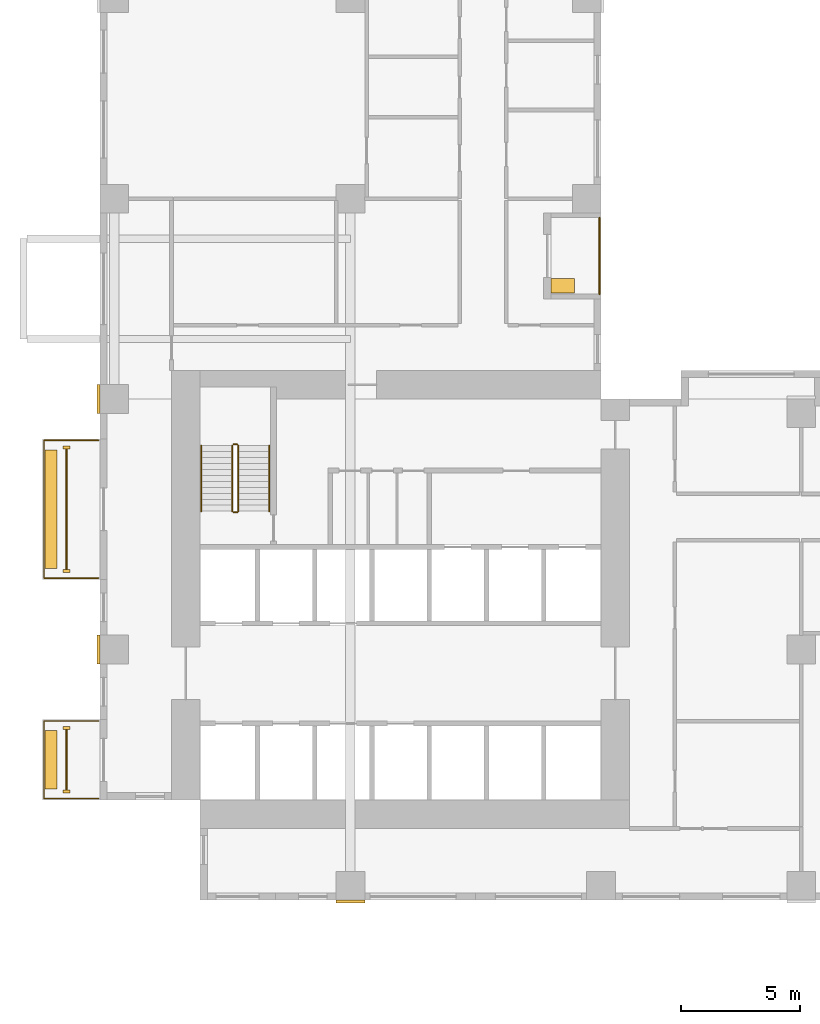
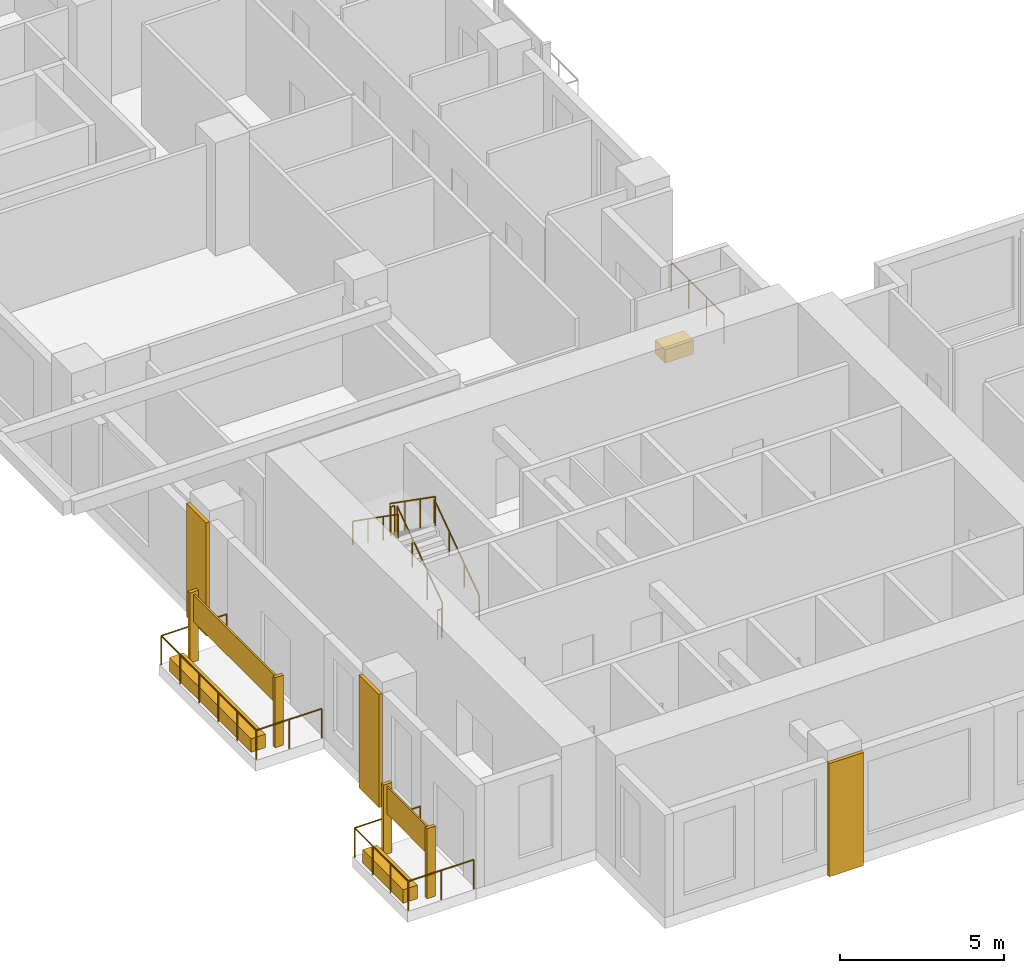
# One storey, part 10 of 14: 12 coverings, 9 railings.
"""IFC4 building model written with IfcOpenShell, lengths in metres."""

from ifc_helpers import new_model, si_unit, direction, frame, origin, origin_2d, place, context, subcontext, project, spatial, rectangle, circle, extrude, source, transform, mapped, material, type_object, element, save


model = new_model("IFC4")

# Units and contexts
model_context = context("Model", 3, precision=1e-05, world=origin(), true_north=direction((0.0, 1.0)))
body_context = subcontext(model_context, "Body", "Model", "MODEL_VIEW")
ifc_project = project(units=[si_unit("LENGTHUNIT", "METRE"), si_unit("AREAUNIT", "SQUARE_METRE"), si_unit("VOLUMEUNIT", "CUBIC_METRE"), si_unit("PLANEANGLEUNIT", "RADIAN"), si_unit("MASSUNIT", "GRAM", prefix="KILO")], contexts=[model_context])

# Site, building, storey
site_placement = place(None, origin())
site = spatial("IfcSite", under=ifc_project, at=site_placement, CompositionType="ELEMENT")
building_placement = place(site_placement, origin())
building = spatial("IfcBuilding", under=site, at=building_placement, Name="Aurelian Terraces", CompositionType="ELEMENT")
storey_placement = place(building_placement, frame((0.0, 0.0, 40.5)))
storey = spatial("IfcBuildingStorey", under=building, at=storey_placement, Name="L07", CompositionType="ELEMENT", Elevation=40.5)

# Coverings
ifc_material_1 = material(Name="Terracotta rainscreen cladding relief", Category="masonry")
covering_type_1 = type_object("IfcCoveringType", Name="BAGUETTE-TC", PredefinedType="CLADDING", material=ifc_material_1)
covering_1_placement = place(storey_placement, frame((10.5, -0.06, -0.4), z_axis=(0.0, 0.0, 1.0), x_axis=(1.0, 0.0, 0.0)))
element("IfcCovering", 1, at=covering_1_placement, inside=storey, type_object=covering_type_1, Name="BAGUETTE pier L07 1", PredefinedType="CLADDING", context=body_context, shape_type="SweptSolid", body=[
    extrude(rectangle(XDim=1.2, YDim=0.12, at=origin_2d()), origin(), (0.0, 0.0, 1.0), 4.2),
])
covering_2_placement = place(storey_placement, frame((-0.06, 10.5, -0.4), z_axis=(0.0, 0.0, 1.0), x_axis=(1.0, 0.0, 0.0)))
element("IfcCovering", 2, at=covering_2_placement, inside=storey, type_object=covering_type_1, Name="BAGUETTE pier L07 5", PredefinedType="CLADDING", context=body_context, shape_type="SweptSolid", body=[
    extrude(rectangle(XDim=0.12, YDim=1.2, at=origin_2d()), origin(), (0.0, 0.0, 1.0), 4.2),
])

# Railings
ifc_material_2 = material(Name="Anodised aluminium", Category="aluminium")
railing_type_1 = type_object("IfcRailingType", Name="GUARD-1100", PredefinedType="GUARDRAIL", material=ifc_material_2)
railing_1_placement = place(storey_placement, frame((20.94, 25.4, 0.05)))
element("IfcRailing", 3, at=railing_1_placement, inside=storey, type_object=railing_type_1, Name="Loggia guard L07 F08.29", PredefinedType="GUARDRAIL", context=body_context, shape_type="SweptSolid", body=[
    extrude(circle(Radius=0.024, at=origin_2d()), frame((0.0, 0.0, 1.076), z_axis=(0.0, 1.0, 0.0), x_axis=(-1.0, 0.0, 0.0)), (0.0, 0.0, 1.0), 3.2),
    extrude(circle(Radius=0.021, at=origin_2d()), origin(), (0.0, 0.0, 1.0), 1.052),
    extrude(circle(Radius=0.021, at=origin_2d()), frame((0.0, 1.0667, 0.0)), (0.0, 0.0, 1.0), 1.052),
    extrude(circle(Radius=0.021, at=origin_2d()), frame((0.0, 2.1333, 0.0)), (0.0, 0.0, 1.0), 1.052),
    extrude(circle(Radius=0.021, at=origin_2d()), frame((0.0, 3.2, 0.0)), (0.0, 0.0, 1.0), 1.052),
])
railing_2_placement = place(storey_placement, frame((-0.05, 19.27, 0.0)))
element("IfcRailing", 4, at=railing_2_placement, inside=storey, type_object=railing_type_1, Name="Balcony guard L07 F14.45", PredefinedType="GUARDRAIL", context=body_context, shape_type="SweptSolid", body=[
    extrude(circle(Radius=0.024, at=origin_2d()), frame((0.0, 0.0, 1.076), z_axis=(-1.0, 0.0, 0.0), x_axis=(0.0, -1.0, 0.0)), (0.0, 0.0, 1.0), 2.3),
    extrude(circle(Radius=0.024, at=origin_2d()), frame((-2.3, 0.0, 1.076), z_axis=(0.0, -1.0, 0.0), x_axis=(1.0, 0.0, 0.0)), (0.0, 0.0, 1.0), 5.78),
    extrude(circle(Radius=0.024, at=origin_2d()), frame((-2.3, -5.78, 1.076), z_axis=(1.0, 0.0, 0.0), x_axis=(0.0, 1.0, 0.0)), (0.0, 0.0, 1.0), 2.3),
    extrude(circle(Radius=0.021, at=origin_2d()), origin(), (0.0, 0.0, 1.0), 1.052),
    extrude(circle(Radius=0.021, at=origin_2d()), frame((-1.15, 0.0, 0.0)), (0.0, 0.0, 1.0), 1.052),
    extrude(circle(Radius=0.021, at=origin_2d()), frame((-2.3, 0.0, 0.0)), (0.0, 0.0, 1.0), 1.052),
    extrude(circle(Radius=0.021, at=origin_2d()), frame((-2.3, -1.156, 0.0)), (0.0, 0.0, 1.0), 1.052),
    extrude(circle(Radius=0.021, at=origin_2d()), frame((-2.3, -2.312, 0.0)), (0.0, 0.0, 1.0), 1.052),
    extrude(circle(Radius=0.021, at=origin_2d()), frame((-2.3, -3.468, 0.0)), (0.0, 0.0, 1.0), 1.052),
    extrude(circle(Radius=0.021, at=origin_2d()), frame((-2.3, -4.624, 0.0)), (0.0, 0.0, 1.0), 1.052),
    extrude(circle(Radius=0.021, at=origin_2d()), frame((-2.3, -5.78, 0.0)), (0.0, 0.0, 1.0), 1.052),
    extrude(circle(Radius=0.021, at=origin_2d()), frame((-1.15, -5.78, 0.0)), (0.0, 0.0, 1.0), 1.052),
    extrude(circle(Radius=0.021, at=origin_2d()), frame((0.0, -5.78, 0.0)), (0.0, 0.0, 1.0), 1.052),
])
railing_3_placement = place(storey_placement, frame((-0.05, 7.51, 0.0)))
element("IfcRailing", 5, at=railing_3_placement, inside=storey, type_object=railing_type_1, Name="Balcony guard L07 F14.47", PredefinedType="GUARDRAIL", context=body_context, shape_type="SweptSolid", body=[
    extrude(circle(Radius=0.024, at=origin_2d()), frame((0.0, 0.0, 1.076), z_axis=(-1.0, 0.0, 0.0), x_axis=(0.0, -1.0, 0.0)), (0.0, 0.0, 1.0), 2.3),
    extrude(circle(Radius=0.024, at=origin_2d()), frame((-2.3, 0.0, 1.076), z_axis=(0.0, -1.0, 0.0), x_axis=(1.0, 0.0, 0.0)), (0.0, 0.0, 1.0), 3.26),
    extrude(circle(Radius=0.024, at=origin_2d()), frame((-2.3, -3.26, 1.076), z_axis=(1.0, 0.0, 0.0), x_axis=(0.0, 1.0, 0.0)), (0.0, 0.0, 1.0), 2.3),
    extrude(circle(Radius=0.021, at=origin_2d()), origin(), (0.0, 0.0, 1.0), 1.052),
    extrude(circle(Radius=0.021, at=origin_2d()), frame((-1.15, 0.0, 0.0)), (0.0, 0.0, 1.0), 1.052),
    extrude(circle(Radius=0.021, at=origin_2d()), frame((-2.3, 0.0, 0.0)), (0.0, 0.0, 1.0), 1.052),
    extrude(circle(Radius=0.021, at=origin_2d()), frame((-2.3, -1.0867, 0.0)), (0.0, 0.0, 1.0), 1.052),
    extrude(circle(Radius=0.021, at=origin_2d()), frame((-2.3, -2.1733, 0.0)), (0.0, 0.0, 1.0), 1.052),
    extrude(circle(Radius=0.021, at=origin_2d()), frame((-2.3, -3.26, 0.0)), (0.0, 0.0, 1.0), 1.052),
    extrude(circle(Radius=0.021, at=origin_2d()), frame((-1.15, -3.26, 0.0)), (0.0, 0.0, 1.0), 1.052),
    extrude(circle(Radius=0.021, at=origin_2d()), frame((0.0, -3.26, 0.0)), (0.0, 0.0, 1.0), 1.052),
])

# Coverings
ifc_material_3 = material(Name="Terracotta planter with planting soil", Category="masonry")
covering_type_2 = type_object("IfcCoveringType", Name="PLANTER-TROUGH", PredefinedType="USERDEFINED", material=ifc_material_3)
covering_3_placement = place(storey_placement, frame((19.4, 25.75, 0.0), z_axis=(0.0, 0.0, 1.0), x_axis=(1.0, 0.0, 0.0)))
element("IfcCovering", 6, at=covering_3_placement, inside=storey, type_object=covering_type_2, Name="PLANTER L07 L07-F08-29", ObjectType="PLANTER", PredefinedType="USERDEFINED", context=body_context, shape_type="SweptSolid", body=[
    extrude(rectangle(XDim=1.0, YDim=0.6, at=origin_2d()), origin(), (0.0, 0.0, 1.0), 0.5),
])
covering_4_placement = place(storey_placement, frame((-2.05, 16.38, 0.0), z_axis=(0.0, 0.0, 1.0), x_axis=(1.0, 0.0, 0.0)))
element("IfcCovering", 7, at=covering_4_placement, inside=storey, type_object=covering_type_2, Name="PLANTER L07 L07-F14-45", ObjectType="PLANTER", PredefinedType="USERDEFINED", context=body_context, shape_type="SweptSolid", body=[
    extrude(rectangle(XDim=0.5, YDim=4.98, at=origin_2d()), origin(), (0.0, 0.0, 1.0), 0.5),
])
covering_5_placement = place(storey_placement, frame((-2.05, 5.88, 0.0), z_axis=(0.0, 0.0, 1.0), x_axis=(1.0, 0.0, 0.0)))
element("IfcCovering", 8, at=covering_5_placement, inside=storey, type_object=covering_type_2, Name="PLANTER L07 L07-F14-47", ObjectType="PLANTER", PredefinedType="USERDEFINED", context=body_context, shape_type="SweptSolid", body=[
    extrude(rectangle(XDim=0.5, YDim=2.46, at=origin_2d()), origin(), (0.0, 0.0, 1.0), 0.5),
])
ifc_material_4 = material(Name="Terracotta rainscreen cladding", Category="masonry")
covering_type_3 = type_object("IfcCoveringType", Name="SCREEN-TC", PredefinedType="CLADDING", material=ifc_material_4)
covering_6_placement = place(storey_placement, frame((-1.4, 16.38, 1.5), z_axis=(0.0, 0.0, 1.0), x_axis=(1.0, 0.0, 0.0)))
element("IfcCovering", 9, at=covering_6_placement, inside=storey, type_object=covering_type_3, Name="SCREEN L07 L07-F14-45", PredefinedType="CLADDING", context=body_context, shape_type="SweptSolid", body=[
    extrude(rectangle(XDim=0.06, YDim=5.06, at=origin_2d()), origin(), (0.0, 0.0, 1.0), 1.0),
])
covering_7_placement = place(storey_placement, frame((-1.4, 5.88, 1.5), z_axis=(0.0, 0.0, 1.0), x_axis=(1.0, 0.0, 0.0)))
element("IfcCovering", 10, at=covering_7_placement, inside=storey, type_object=covering_type_3, Name="SCREEN L07 L07-F14-47", PredefinedType="CLADDING", context=body_context, shape_type="SweptSolid", body=[
    extrude(rectangle(XDim=0.06, YDim=2.54, at=origin_2d()), origin(), (0.0, 0.0, 1.0), 1.0),
])

# Railings
ifc_material_5 = material(Name="Stainless steel", Category="steel")
railing_type_2 = type_object("IfcRailingType", Name="Stair guard 1100", PredefinedType="GUARDRAIL", material=ifc_material_5)
railing_4_placement = place(storey_placement, frame((5.8, 16.3, 0.175)))
element("IfcRailing", 11, at=railing_4_placement, inside=storey, type_object=railing_type_2, Name="L07 S1 stair guard 1", PredefinedType="GUARDRAIL", context=body_context, shape_type="SweptSolid", body=[
    extrude(circle(Radius=0.024, at=origin_2d()), frame((0.0, 0.0, 1.076), z_axis=(0.0, 0.819231920519, 0.573462344363), x_axis=(-1.0, 0.0, 0.0)), (0.0, 0.0, 1.0), 3.3568),
    extrude(circle(Radius=0.021, at=origin_2d()), origin(), (0.0, 0.0, 1.0), 1.052),
    extrude(circle(Radius=0.021, at=origin_2d()), frame((0.0, 0.9167, 0.6417)), (0.0, 0.0, 1.0), 1.052),
    extrude(circle(Radius=0.021, at=origin_2d()), frame((0.0, 1.8333, 1.2833)), (0.0, 0.0, 1.0), 1.052),
    extrude(circle(Radius=0.021, at=origin_2d()), frame((0.0, 2.75, 1.925)), (0.0, 0.0, 1.0), 1.052),
])
railing_5_placement = place(storey_placement, frame((5.55, 19.05, 2.275)))
element("IfcRailing", 12, at=railing_5_placement, inside=storey, type_object=railing_type_2, Name="L07 S1 stair guard 3", PredefinedType="GUARDRAIL", context=body_context, shape_type="SweptSolid", body=[
    extrude(circle(Radius=0.024, at=origin_2d()), frame((0.0, 0.0, 1.076), z_axis=(0.0, -0.819231920519, 0.573462344363), x_axis=(1.0, 0.0, 0.0)), (0.0, 0.0, 1.0), 3.3568),
    extrude(circle(Radius=0.021, at=origin_2d()), origin(), (0.0, 0.0, 1.0), 1.052),
    extrude(circle(Radius=0.021, at=origin_2d()), frame((0.0, -0.9167, 0.6417)), (0.0, 0.0, 1.0), 1.052),
    extrude(circle(Radius=0.021, at=origin_2d()), frame((0.0, -1.8333, 1.2833)), (0.0, 0.0, 1.0), 1.052),
    extrude(circle(Radius=0.021, at=origin_2d()), frame((0.0, -2.75, 1.925)), (0.0, 0.0, 1.0), 1.052),
])
railing_type_3 = type_object("IfcRailingType", Name="Stair handrail", PredefinedType="HANDRAIL", material=ifc_material_5)
railing_6_placement = place(storey_placement, frame((7.1, 16.3, 0.175)))
element("IfcRailing", 13, at=railing_6_placement, inside=storey, type_object=railing_type_3, Name="L07 S1 stair handrail 1", PredefinedType="HANDRAIL", context=body_context, shape_type="SweptSolid", body=[
    extrude(circle(Radius=0.024, at=origin_2d()), frame((0.0, 0.0, 0.876), z_axis=(0.0, 0.819231920519, 0.573462344363), x_axis=(-1.0, 0.0, 0.0)), (0.0, 0.0, 1.0), 3.3568),
    extrude(circle(Radius=0.021, at=origin_2d()), origin(), (0.0, 0.0, 1.0), 0.852),
    extrude(circle(Radius=0.021, at=origin_2d()), frame((0.0, 0.9167, 0.6417)), (0.0, 0.0, 1.0), 0.852),
    extrude(circle(Radius=0.021, at=origin_2d()), frame((0.0, 1.8333, 1.2833)), (0.0, 0.0, 1.0), 0.852),
    extrude(circle(Radius=0.021, at=origin_2d()), frame((0.0, 2.75, 1.925)), (0.0, 0.0, 1.0), 0.852),
])
railing_7_placement = place(storey_placement, frame((4.25, 19.05, 2.275)))
element("IfcRailing", 14, at=railing_7_placement, inside=storey, type_object=railing_type_3, Name="L07 S1 stair handrail 2", PredefinedType="HANDRAIL", context=body_context, shape_type="SweptSolid", body=[
    extrude(circle(Radius=0.024, at=origin_2d()), frame((0.0, 0.0, 0.876), z_axis=(0.0, -0.819231920519, 0.573462344363), x_axis=(1.0, 0.0, 0.0)), (0.0, 0.0, 1.0), 3.3568),
    extrude(circle(Radius=0.021, at=origin_2d()), origin(), (0.0, 0.0, 1.0), 0.852),
    extrude(circle(Radius=0.021, at=origin_2d()), frame((0.0, -0.9167, 0.6417)), (0.0, 0.0, 1.0), 0.852),
    extrude(circle(Radius=0.021, at=origin_2d()), frame((0.0, -1.8333, 1.2833)), (0.0, 0.0, 1.0), 0.852),
    extrude(circle(Radius=0.021, at=origin_2d()), frame((0.0, -2.75, 1.925)), (0.0, 0.0, 1.0), 0.852),
])

# Coverings
covering_type_4 = type_object("IfcCoveringType", Name="FIN-TC", PredefinedType="CLADDING", material=ifc_material_1)
shared_shape_1 = source(origin(), body_context, "Body", "SweptSolid", [
    extrude(rectangle(XDim=0.3, YDim=0.12, at=origin_2d()), origin(), (0.0, 0.0, 1.0), 2.6),
])
for number, where, z_axis, x_axis, name in (
    (15, (-1.4, 18.97, 0.0), (0.0, 0.0, 1.0), (1.0, 0.0, 0.0), "FIN L07 L07-F14-45.1"),
    (16, (-1.4, 13.79, 0.0), (0.0, 0.0, 1.0), (1.0, 0.0, 0.0), "FIN L07 L07-F14-45.2"),
    (17, (-1.4, 7.21, 0.0), (0.0, 0.0, 1.0), (1.0, 0.0, 0.0), "FIN L07 L07-F14-47.1"),
    (18, (-1.4, 4.55, 0.0), (0.0, 0.0, 1.0), (1.0, 0.0, 0.0), "FIN L07 L07-F14-47.2"),
):
    element("IfcCovering", number, at=place(storey_placement, frame(where, z_axis=z_axis, x_axis=x_axis)), inside=storey, type_object=covering_type_4, Name=name, PredefinedType="CLADDING", context=body_context, shape_type="MappedRepresentation", body=[
        mapped(shared_shape_1, transform((0.0, 0.0, 0.0), scale=1.0)),
    ])
shared_shape_2 = source(origin(), body_context, "Body", "SweptSolid", [
    extrude(rectangle(XDim=0.12, YDim=1.2, at=origin_2d()), origin(), (0.0, 0.0, 1.0), 4.2),
])
covering_8_placement = place(storey_placement, frame((-0.06, 21.0, -0.4), z_axis=(0.0, 0.0, 1.0), x_axis=(1.0, 0.0, 0.0)))
element("IfcCovering", 19, at=covering_8_placement, inside=storey, type_object=covering_type_1, Name="BAGUETTE pier L07 9", PredefinedType="CLADDING", context=body_context, shape_type="MappedRepresentation", body=[
    mapped(shared_shape_2, transform((0.0, 0.0, 0.0), scale=1.0)),
])

# Railings
shared_shape_3 = source(origin(), body_context, "Body", "SweptSolid", [
    extrude(circle(Radius=0.024, at=origin_2d()), frame((0.0, 0.0, 1.076), z_axis=(-1.0, 0.0, 0.0), x_axis=(0.0, -1.0, 0.0)), (0.0, 0.0, 1.0), 0.15),
    extrude(circle(Radius=0.021, at=origin_2d()), origin(), (0.0, 0.0, 1.0), 1.052),
    extrude(circle(Radius=0.021, at=origin_2d()), frame((-0.15, 0.0, 0.0)), (0.0, 0.0, 1.0), 1.052),
])
for number, where, name in (
    (20, (5.75, 19.1, 2.1), "L07 S1 stair guard 2"),
    (21, (5.75, 16.25, 0.0), "L07 S1 stair guard 4"),
):
    element("IfcRailing", number, at=place(storey_placement, frame(where)), inside=storey, type_object=railing_type_2, Name=name, PredefinedType="GUARDRAIL", context=body_context, shape_type="MappedRepresentation", body=[
        mapped(shared_shape_3, transform((0.0, 0.0, 0.0), scale=1.0)),
    ])

save(model, "model.ifc")
